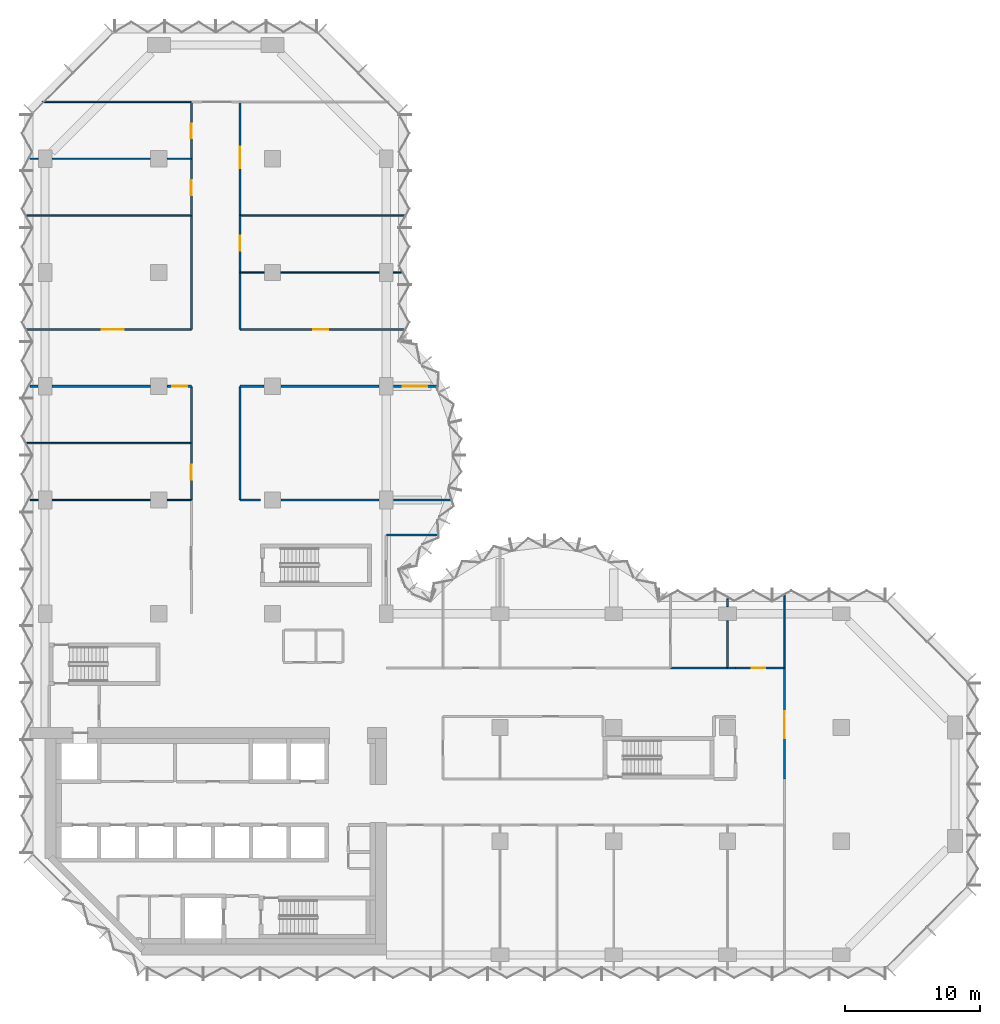
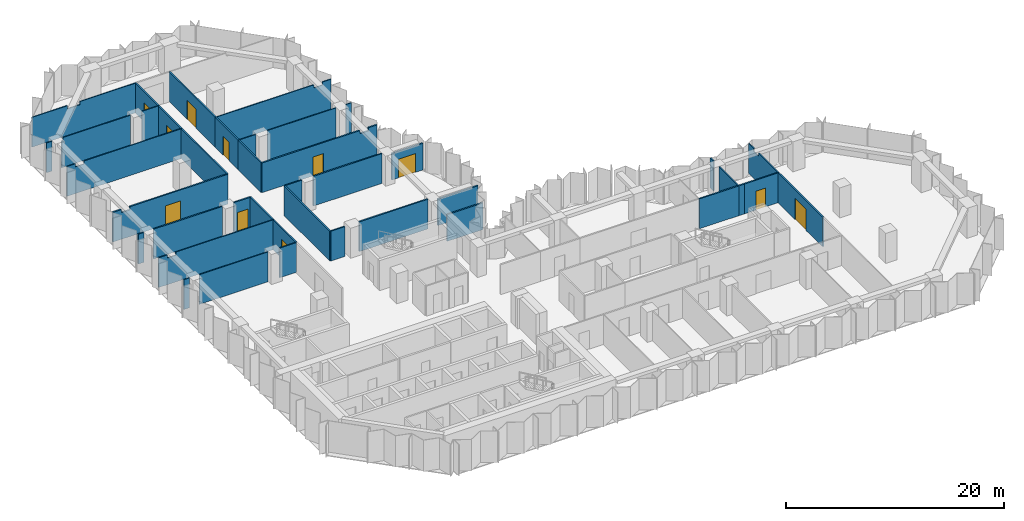
# One storey, part 10 of 13: 41 walls, 11 doors, 11 openings.
"""IFC4 building model written with IfcOpenShell, lengths in metres."""

from ifc_helpers import new_model, si_unit, direction, frame, frame_2d, origin, place, context, subcontext, project, spatial, polyline, rectangle, outline, extrude, material, layer, layer_set, type_object, element, fill, save


model = new_model("IFC4")

# Units and contexts
model_context = context("Model", 3, precision=1e-05, world=origin(), true_north=direction((0.0, 1.0)))
body_context = subcontext(model_context, "Body", "Model", "MODEL_VIEW")
ifc_project = project(units=[si_unit("LENGTHUNIT", "METRE"), si_unit("AREAUNIT", "SQUARE_METRE"), si_unit("VOLUMEUNIT", "CUBIC_METRE"), si_unit("PLANEANGLEUNIT", "RADIAN"), si_unit("MASSUNIT", "GRAM", prefix="KILO")], contexts=[model_context])

# Site, building, storey
site_placement = place(None, origin())
site = spatial("IfcSite", under=ifc_project, at=site_placement, CompositionType="ELEMENT")
building_placement = place(site_placement, origin())
building = spatial("IfcBuilding", under=site, at=building_placement, Name="Brevane Broadcast Tower", CompositionType="ELEMENT")
storey_placement = place(building_placement, frame((0.0, 0.0, 127.699951171875)))
storey = spatial("IfcBuildingStorey", under=building, at=storey_placement, Name="L31", CompositionType="ELEMENT", Elevation=127.699951171875)

# Walls
ifc_material_1 = material(Name="Gypsum board partition")
ifc_layer_1 = layer(ifc_material_1, 0.10009765625)
ifc_layer_set_1 = layer_set([ifc_layer_1], Name="PARTITION 100 STUD")
wall_type_1 = type_object("IfcWallType", Name="PARTITION 100 STUD", PredefinedType="PARTITIONING", material=ifc_layer_set_1)
wall_1_placement = place(storey_placement, frame((54.60009765625, 21.199951171875, 0.0), z_axis=(0.0, 0.0, 1.0), x_axis=(0.0, 1.0, 0.0)))
element("IfcWall", 1, at=wall_1_placement, inside=storey, type_object=wall_type_1, Name="Partition G09-018", PredefinedType="PARTITIONING", context=body_context, shape_type="SweptSolid", body=[
    extrude(outline(polyline([(0.0, 0.0), (5.364990234375, 0.0), (5.364990234375, 3.330078125), (5.10009765625, 3.330078125), (4.449951171875, 3.330078125), (4.447998046875, 2.97998046875), (3.552001953125, 2.97998046875), (3.550048828125, 3.330078125), (0.0, 3.330078125), (0.0, 0.0)])), frame((0.0, 0.050048828125, 0.0), z_axis=(0.0, -1.0, 0.0), x_axis=(1.0, 0.0, 0.0)), (0.0, 0.0, 1.0), 0.10009765625),
])
wall_2_placement = place(storey_placement, frame((10.800048828125, 63.0, 0.0), z_axis=(0.0, 0.0, 1.0), x_axis=(-1.0, 0.0, 0.0)))
element("IfcWall", 2, at=wall_2_placement, inside=storey, type_object=wall_type_1, Name="Partition G09-061", PredefinedType="PARTITIONING", context=body_context, shape_type="SweptSolid", body=[
    extrude(outline(polyline([(0.0, 0.0), (11.0, 0.0), (11.0, 3.330078125), (7.265625, 3.330078125), (7.263671875, 2.97998046875), (5.936279296875, 2.97998046875), (5.934326171875, 3.330078125), (0.0, 3.330078125), (0.0, 0.0)])), frame((0.0, 0.050048828125, 0.0), z_axis=(0.0, -1.0, 0.0), x_axis=(1.0, 0.0, 0.0)), (0.0, 0.0, 1.0), 0.10009765625),
])
wall_3_placement = place(storey_placement, frame((-1.10009765625, 33.60009765625, 0.0), z_axis=(0.0, 0.0, 1.0), x_axis=(1.0, 0.0, 0.0)))
element("IfcWall", 3, at=wall_3_placement, inside=storey, type_object=wall_type_1, Name="Partition G09-067", PredefinedType="PARTITIONING", context=body_context, shape_type="SweptSolid", body=[
    extrude(rectangle(XDim=0.580078125, YDim=0.10009765625, at=frame_2d((0.2900390625, 0.0))), origin(), (0.0, 0.0, 1.0), 3.330078125),
])
wall_4_placement = place(storey_placement, frame((0.52001953125, 33.60009765625, 0.0), z_axis=(0.0, 0.0, 1.0), x_axis=(1.0, 0.0, 0.0)))
element("IfcWall", 4, at=wall_4_placement, inside=storey, type_object=wall_type_1, Name="Partition G09-068", PredefinedType="PARTITIONING", context=body_context, shape_type="SweptSolid", body=[
    extrude(rectangle(XDim=7.260009765625, YDim=0.10009765625, at=frame_2d((3.6298828125, 0.0))), origin(), (0.0, 0.0, 1.0), 3.330078125),
])
wall_5_placement = place(storey_placement, frame((9.02001953125, 33.60009765625, 0.0), z_axis=(0.0, 0.0, 1.0), x_axis=(1.0, 0.0, 0.0)))
element("IfcWall", 5, at=wall_5_placement, inside=storey, type_object=wall_type_1, Name="Partition G09-069", PredefinedType="PARTITIONING", context=body_context, shape_type="SweptSolid", body=[
    extrude(rectangle(XDim=1.780029296875, YDim=0.10009765625, at=frame_2d((0.89013671875, 0.0))), origin(), (0.0, 0.0, 1.0), 3.330078125),
])
for number, where, z_axis, x_axis, name in (
    (6, (-1.364990234375, 37.800048828125, 0.0), (0.0, 0.0, 1.0), (1.0, 0.0, 0.0), "Partition G09-070"),
    (7, (-1.364990234375, 54.60009765625, 0.0), (0.0, 0.0, 1.0), (1.0, 0.0, 0.0), "Partition G09-071"),
):
    element("IfcWall", number, at=place(storey_placement, frame(where, z_axis=z_axis, x_axis=x_axis)), inside=storey, type_object=wall_type_1, Name=name, PredefinedType="PARTITIONING", context=body_context, shape_type="SweptSolid", body=[
        extrude(outline(polyline([(0.0, 0.0), (12.1650390625, 0.0), (12.1650390625, 3.330078125), (1.81494140625, 3.330078125), (1.81298828125, 2.97998046875), (0.9169921875, 2.97998046875), (0.9150390625, 3.330078125), (0.264892578125, 3.330078125), (0.0, 3.330078125), (0.0, 0.0)])), frame((0.0, 0.050048828125, 0.0), z_axis=(0.0, -1.0, 0.0), x_axis=(1.0, 0.0, 0.0)), (0.0, 0.0, 1.0), 0.10009765625),
    ])
wall_6_placement = place(storey_placement, frame((-1.10009765625, 58.800048828125, 0.0), z_axis=(0.0, 0.0, 1.0), x_axis=(1.0, 0.0, 0.0)))
element("IfcWall", 8, at=wall_6_placement, inside=storey, type_object=wall_type_1, Name="Partition G09-072", PredefinedType="PARTITIONING", context=body_context, shape_type="SweptSolid", body=[
    extrude(rectangle(XDim=0.580078125, YDim=0.10009765625, at=frame_2d((0.2900390625, 0.0))), origin(), (0.0, 0.0, 1.0), 3.330078125),
])
wall_7_placement = place(storey_placement, frame((0.52001953125, 58.800048828125, 0.0), z_axis=(0.0, 0.0, 1.0), x_axis=(1.0, 0.0, 0.0)))
element("IfcWall", 9, at=wall_7_placement, inside=storey, type_object=wall_type_1, Name="Partition G09-073", PredefinedType="PARTITIONING", context=body_context, shape_type="SweptSolid", body=[
    extrude(outline(polyline([(0.0, 0.0), (7.260009765625, 0.0), (7.260009765625, 3.330078125), (0.145751953125, 3.330078125), (0.143798828125, 2.97998046875), (0.0, 2.97998046875), (0.0, 0.0)])), frame((0.0, 0.050048828125, 0.0), z_axis=(0.0, -1.0, 0.0), x_axis=(1.0, 0.0, 0.0)), (0.0, 0.0, 1.0), 0.10009765625),
])
for number, where, z_axis, x_axis, name in (
    (10, (9.02001953125, 58.800048828125, 0.0), (0.0, 0.0, 1.0), (1.0, 0.0, 0.0), "Partition G09-074"),
    (11, (14.39990234375, 50.39990234375, 0.0), (0.0, 0.0, 1.0), (1.0, 0.0, 0.0), "Partition G09-079"),
):
    element("IfcWall", number, at=place(storey_placement, frame(where, z_axis=z_axis, x_axis=x_axis)), inside=storey, type_object=wall_type_1, Name=name, PredefinedType="PARTITIONING", context=body_context, shape_type="SweptSolid", body=[
        extrude(rectangle(XDim=1.780029296875, YDim=0.10009765625, at=frame_2d((0.89013671875, 0.0))), origin(), (0.0, 0.0, 1.0), 3.330078125),
    ])
wall_8_placement = place(storey_placement, frame((17.419921875, 50.39990234375, 0.0), z_axis=(0.0, 0.0, 1.0), x_axis=(1.0, 0.0, 0.0)))
element("IfcWall", 12, at=wall_8_placement, inside=storey, type_object=wall_type_1, Name="Partition G09-080", PredefinedType="PARTITIONING", context=body_context, shape_type="SweptSolid", body=[
    extrude(rectangle(XDim=7.260009765625, YDim=0.10009765625, at=frame_2d((3.6298828125, 0.0))), origin(), (0.0, 0.0, 1.0), 3.330078125),
])
wall_9_placement = place(storey_placement, frame((25.719970703125, 50.39990234375, 0.0), z_axis=(0.0, 0.0, 1.0), x_axis=(1.0, 0.0, 0.0)))
element("IfcWall", 13, at=wall_9_placement, inside=storey, type_object=wall_type_1, Name="Partition G09-081", PredefinedType="PARTITIONING", context=body_context, shape_type="SweptSolid", body=[
    extrude(rectangle(XDim=0.580078125, YDim=0.10009765625, at=frame_2d((0.2900390625, 0.0))), origin(), (0.0, 0.0, 1.0), 3.330078125),
])
wall_10_placement = place(storey_placement, frame((14.39990234375, 54.60009765625, 0.0), z_axis=(0.0, 0.0, 1.0), x_axis=(1.0, 0.0, 0.0)))
element("IfcWall", 14, at=wall_10_placement, inside=storey, type_object=wall_type_1, Name="Partition G09-082", PredefinedType="PARTITIONING", context=body_context, shape_type="SweptSolid", body=[
    extrude(outline(polyline([(0.0, 0.0), (12.1650390625, 0.0), (12.1650390625, 3.330078125), (11.89990234375, 3.330078125), (11.25, 3.330078125), (11.248046875, 2.97998046875), (10.35205078125, 2.97998046875), (10.35009765625, 3.330078125), (0.0, 3.330078125), (0.0, 0.0)])), frame((0.0, 0.050048828125, 0.0), z_axis=(0.0, -1.0, 0.0), x_axis=(1.0, 0.0, 0.0)), (0.0, 0.0, 1.0), 0.10009765625),
])
ifc_layer_2 = layer(ifc_material_1, 0.125)
ifc_layer_set_2 = layer_set([ifc_layer_2], Name="PARTITION 125 ACOUSTIC")
wall_type_2 = type_object("IfcWallType", Name="PARTITION 125 ACOUSTIC", PredefinedType="PARTITIONING", material=ifc_layer_set_2)
wall_11_placement = place(storey_placement, frame((50.39990234375, 26.300048828125, 0.0), z_axis=(0.0, 0.0, 1.0), x_axis=(0.0, -1.0, 0.0)))
element("IfcWall", 15, at=wall_11_placement, inside=storey, type_object=wall_type_2, Name="Partition G09-045", PredefinedType="PARTITIONING", context=body_context, shape_type="SweptSolid", body=[
    extrude(rectangle(XDim=0.580078125, YDim=0.125, at=frame_2d((0.2900390625, 0.0))), origin(), (0.0, 0.0, 1.0), 3.330078125),
])
wall_12_placement = place(storey_placement, frame((50.39990234375, 24.679931640625, 0.0), z_axis=(0.0, 0.0, 1.0), x_axis=(0.0, -1.0, 0.0)))
element("IfcWall", 16, at=wall_12_placement, inside=storey, type_object=wall_type_2, Name="Partition G09-046", PredefinedType="PARTITIONING", context=body_context, shape_type="SweptSolid", body=[
    extrude(rectangle(XDim=3.47998046875, YDim=0.125, at=frame_2d((1.739990234375, 0.0))), origin(), (0.0, 0.0, 1.0), 3.330078125),
])
ifc_layer_3 = layer(ifc_material_1, 0.14990234375)
ifc_layer_set_3 = layer_set([ifc_layer_3], Name="PARTITION 150 EI 60")
wall_type_3 = type_object("IfcWallType", Name="PARTITION 150 EI 60", PredefinedType="PARTITIONING", material=ifc_layer_set_3)
wall_13_placement = place(storey_placement, frame((25.199951171875, 31.0, 0.0), z_axis=(0.0, 0.0, 1.0), x_axis=(1.0, 0.0, 0.0)))
element("IfcWall", 17, at=wall_13_placement, inside=storey, type_object=wall_type_3, Name="Partition G09-006", PredefinedType="PARTITIONING", context=body_context, shape_type="SweptSolid", body=[
    extrude(rectangle(XDim=3.80615234375, YDim=0.14990234375, at=frame_2d((1.903076171875, 0.0))), origin(), (0.0, 0.0, 1.0), 2.97998046875),
])

# Wall, opening, door
wall_14_placement = place(storey_placement, frame((54.60009765625, 21.199951171875, 0.0), z_axis=(0.0, 0.0, 1.0), x_axis=(0.0, -1.0, 0.0)))
wall_14 = element("IfcWall", 18, at=wall_14_placement, inside=storey, type_object=wall_type_3, Name="Partition G09-016", PredefinedType="PARTITIONING", context=body_context, shape_type="SweptSolid", body=[
    extrude(rectangle(XDim=8.199951171875, YDim=0.14990234375, at=frame_2d((4.10009765625, 0.0))), origin(), (0.0, 0.0, 1.0), 3.330078125),
])
opening_1_placement = place(wall_14_placement, frame((3.199951171875, 0.0, 0.0)))
opening_1 = element("IfcOpeningElement", 19, at=opening_1_placement, cuts=wall_14, Name="Opening D16-002", PredefinedType="OPENING", context=body_context, shape_type="SweptSolid", body=[
    extrude(rectangle(XDim=2.0, YDim=2.39990234375, at=frame_2d((1.0, 1.199951171875))), frame((0.0, 0.0849609375, 0.0), z_axis=(0.0, -1.0, 0.0), x_axis=(1.0, 0.0, 0.0)), (0.0, 0.0, 1.0), 0.169921875),
])
ifc_material_2 = material(Name="Fire-rated timber door leaf", Category="wood")
door_type_1 = type_object("IfcDoorType", Name="DOOR DOUBLE 2000 FD30S", OperationType="DOUBLE_DOOR_SINGLE_SWING", PredefinedType="DOOR", material=ifc_material_2)
door_1_placement = place(opening_1_placement, origin())
door_1 = element("IfcDoor", 20, at=door_1_placement, inside=storey, type_object=door_type_1, Name="Door D16-002", OperationType="DOUBLE_DOOR_SINGLE_SWING", OverallHeight=2.39990234375, OverallWidth=2.0, PredefinedType="DOOR", context=body_context, shape_type="SweptSolid", body=[
    extrude(rectangle(XDim=2.0, YDim=2.39990234375, at=frame_2d((1.0, 1.199951171875))), frame((0.0, 0.02490234375, 0.0), z_axis=(0.0, -1.0, 0.0), x_axis=(1.0, 0.0, 0.0)), (0.0, 0.0, 1.0), 0.050048828125),
])
fill(opening_1, door_1)

# Walls
wall_15_placement = place(storey_placement, frame((46.199951171875, 21.199951171875, 0.0), z_axis=(0.0, 0.0, 1.0), x_axis=(1.0, 0.0, 0.0)))
element("IfcWall", 21, at=wall_15_placement, inside=storey, type_object=wall_type_3, Name="Partition G09-026", PredefinedType="PARTITIONING", context=body_context, shape_type="SweptSolid", body=[
    extrude(rectangle(XDim=4.199951171875, YDim=0.14990234375, at=frame_2d((2.10009765625, 0.0))), origin(), (0.0, 0.0, 1.0), 3.330078125),
])
wall_16_placement = place(storey_placement, frame((50.39990234375, 21.199951171875, 0.0), z_axis=(0.0, 0.0, 1.0), x_axis=(1.0, 0.0, 0.0)))
element("IfcWall", 22, at=wall_16_placement, inside=storey, type_object=wall_type_3, Name="Partition G09-027", PredefinedType="PARTITIONING", context=body_context, shape_type="SweptSolid", body=[
    extrude(rectangle(XDim=0.60009765625, YDim=0.14990234375, at=frame_2d((0.300048828125, 0.0))), origin(), (0.0, 0.0, 1.0), 3.330078125),
])

# Wall, opening, door
wall_17_placement = place(storey_placement, frame((51.0, 21.199951171875, 0.0), z_axis=(0.0, 0.0, 1.0), x_axis=(1.0, 0.0, 0.0)))
wall_17 = element("IfcWall", 23, at=wall_17_placement, inside=storey, type_object=wall_type_3, Name="Partition G09-029", PredefinedType="PARTITIONING", context=body_context, shape_type="SweptSolid", body=[
    extrude(rectangle(XDim=3.60009765625, YDim=0.14990234375, at=frame_2d((1.800048828125, 0.0))), origin(), (0.0, 0.0, 1.0), 3.330078125),
])
opening_2_placement = place(wall_17_placement, frame((1.199951171875, 0.0, 0.0)))
opening_2 = element("IfcOpeningElement", 24, at=opening_2_placement, cuts=wall_17, Name="Opening D16-015", PredefinedType="OPENING", context=body_context, shape_type="SweptSolid", body=[
    extrude(rectangle(XDim=1.0, YDim=2.10009765625, at=frame_2d((0.5, 1.050048828125))), frame((0.0, 0.0849609375, 0.0), z_axis=(0.0, -1.0, 0.0), x_axis=(1.0, 0.0, 0.0)), (0.0, 0.0, 1.0), 0.169921875),
])
door_type_2 = type_object("IfcDoorType", Name="DOOR SINGLE 1000 FD30S", OperationType="SINGLE_SWING_LEFT", PredefinedType="DOOR", material=ifc_material_2)
door_2_placement = place(opening_2_placement, origin())
door_2 = element("IfcDoor", 25, at=door_2_placement, inside=storey, type_object=door_type_2, Name="Door D16-015", OperationType="SINGLE_SWING_LEFT", OverallHeight=2.10009765625, OverallWidth=1.0, PredefinedType="DOOR", context=body_context, shape_type="SweptSolid", body=[
    extrude(rectangle(XDim=1.0, YDim=2.10009765625, at=frame_2d((0.5, 1.050048828125))), frame((0.0, 0.02490234375, 0.0), z_axis=(0.0, -1.0, 0.0), x_axis=(1.0, 0.0, 0.0)), (0.0, 0.0, 1.0), 0.050048828125),
])
fill(opening_2, door_2)

# Walls
wall_18_placement = place(storey_placement, frame((14.39990234375, 33.60009765625, 0.0), z_axis=(0.0, 0.0, 1.0), x_axis=(1.0, 0.0, 0.0)))
element("IfcWall", 26, at=wall_18_placement, inside=storey, type_object=wall_type_3, Name="Partition G09-048", PredefinedType="PARTITIONING", context=body_context, shape_type="SweptSolid", body=[
    extrude(rectangle(XDim=1.5, YDim=0.14990234375, at=frame_2d((0.75, 0.0))), origin(), (0.0, 0.0, 1.0), 3.330078125),
])
wall_19_placement = place(storey_placement, frame((17.419921875, 33.60009765625, 0.0), z_axis=(0.0, 0.0, 1.0), x_axis=(1.0, 0.0, 0.0)))
element("IfcWall", 27, at=wall_19_placement, inside=storey, type_object=wall_type_3, Name="Partition G09-049", PredefinedType="PARTITIONING", context=body_context, shape_type="SweptSolid", body=[
    extrude(rectangle(XDim=7.260009765625, YDim=0.14990234375, at=frame_2d((3.6298828125, 0.0))), origin(), (0.0, 0.0, 1.0), 3.330078125),
])
wall_20_placement = place(storey_placement, frame((25.719970703125, 33.60009765625, 0.0), z_axis=(0.0, 0.0, 1.0), x_axis=(1.0, 0.0, 0.0)))
element("IfcWall", 28, at=wall_20_placement, inside=storey, type_object=wall_type_3, Name="Partition G09-050", PredefinedType="PARTITIONING", context=body_context, shape_type="SweptSolid", body=[
    extrude(rectangle(XDim=4.268310546875, YDim=0.14990234375, at=frame_2d((2.13427734375, 0.0))), origin(), (0.0, 0.0, 1.0), 2.97998046875),
])

# Wall, opening, door
wall_21_placement = place(storey_placement, frame((10.800048828125, 33.60009765625, 0.0), z_axis=(0.0, 0.0, 1.0), x_axis=(0.0, 1.0, 0.0)))
wall_21 = element("IfcWall", 29, at=wall_21_placement, inside=storey, type_object=wall_type_3, Name="Partition G09-052", PredefinedType="PARTITIONING", context=body_context, shape_type="SweptSolid", body=[
    extrude(rectangle(XDim=4.199951171875, YDim=0.14990234375, at=frame_2d((2.10009765625, 0.0))), origin(), (0.0, 0.0, 1.0), 3.330078125),
])
opening_3_placement = place(wall_21_placement, frame((1.5, 0.0, 0.0)))
opening_3 = element("IfcOpeningElement", 30, at=opening_3_placement, cuts=wall_21, Name="Opening D16-018", PredefinedType="OPENING", context=body_context, shape_type="SweptSolid", body=[
    extrude(rectangle(XDim=1.10009765625, YDim=2.10009765625, at=frame_2d((0.550048828125, 1.050048828125))), frame((0.0, 0.0849609375, 0.0), z_axis=(0.0, -1.0, 0.0), x_axis=(1.0, 0.0, 0.0)), (0.0, 0.0, 1.0), 0.169921875),
])
door_type_3 = type_object("IfcDoorType", Name="DOOR SINGLE 1100 FD30S", OperationType="SINGLE_SWING_LEFT", PredefinedType="DOOR", material=ifc_material_2)
door_3_placement = place(opening_3_placement, origin())
door_3 = element("IfcDoor", 31, at=door_3_placement, inside=storey, type_object=door_type_3, Name="Door D16-018", OperationType="SINGLE_SWING_LEFT", OverallHeight=2.10009765625, OverallWidth=1.10009765625, PredefinedType="DOOR", context=body_context, shape_type="SweptSolid", body=[
    extrude(rectangle(XDim=1.10009765625, YDim=2.10009765625, at=frame_2d((0.550048828125, 1.050048828125))), frame((0.0, 0.02490234375, 0.0), z_axis=(0.0, -1.0, 0.0), x_axis=(1.0, 0.0, 0.0)), (0.0, 0.0, 1.0), 0.050048828125),
])
fill(opening_3, door_3)

# Walls
wall_22_placement = place(storey_placement, frame((10.800048828125, 37.800048828125, 0.0), z_axis=(0.0, 0.0, 1.0), x_axis=(0.0, 1.0, 0.0)))
element("IfcWall", 32, at=wall_22_placement, inside=storey, type_object=wall_type_3, Name="Partition G09-053", PredefinedType="PARTITIONING", context=body_context, shape_type="SweptSolid", body=[
    extrude(rectangle(XDim=4.199951171875, YDim=0.14990234375, at=frame_2d((2.10009765625, 0.0))), origin(), (0.0, 0.0, 1.0), 3.330078125),
])
wall_23_placement = place(storey_placement, frame((10.800048828125, 46.199951171875, 0.0), z_axis=(0.0, 0.0, 1.0), x_axis=(0.0, 1.0, 0.0)))
element("IfcWall", 33, at=wall_23_placement, inside=storey, type_object=wall_type_3, Name="Partition G09-054", PredefinedType="PARTITIONING", context=body_context, shape_type="SweptSolid", body=[
    extrude(rectangle(XDim=8.400146484375, YDim=0.14990234375, at=frame_2d((4.2001953125, 0.0))), origin(), (0.0, 0.0, 1.0), 3.330078125),
])

# Wall, opening, door
wall_24_placement = place(storey_placement, frame((10.800048828125, 54.60009765625, 0.0), z_axis=(0.0, 0.0, 1.0), x_axis=(0.0, 1.0, 0.0)))
wall_24 = element("IfcWall", 34, at=wall_24_placement, inside=storey, type_object=wall_type_3, Name="Partition G09-055", PredefinedType="PARTITIONING", context=body_context, shape_type="SweptSolid", body=[
    extrude(rectangle(XDim=4.199951171875, YDim=0.14990234375, at=frame_2d((2.10009765625, 0.0))), origin(), (0.0, 0.0, 1.0), 3.330078125),
])
opening_4_placement = place(wall_24_placement, frame((1.5, 0.0, 0.0)))
opening_4 = element("IfcOpeningElement", 35, at=opening_4_placement, cuts=wall_24, Name="Opening D16-021", PredefinedType="OPENING", context=body_context, shape_type="SweptSolid", body=[
    extrude(rectangle(XDim=1.10009765625, YDim=2.10009765625, at=frame_2d((0.550048828125, 1.050048828125))), frame((0.0, 0.0849609375, 0.0), z_axis=(0.0, -1.0, 0.0), x_axis=(1.0, 0.0, 0.0)), (0.0, 0.0, 1.0), 0.169921875),
])
door_4_placement = place(opening_4_placement, origin())
door_4 = element("IfcDoor", 36, at=door_4_placement, inside=storey, type_object=door_type_3, Name="Door D16-021", OperationType="SINGLE_SWING_LEFT", OverallHeight=2.10009765625, OverallWidth=1.10009765625, PredefinedType="DOOR", context=body_context, shape_type="SweptSolid", body=[
    extrude(rectangle(XDim=1.10009765625, YDim=2.10009765625, at=frame_2d((0.550048828125, 1.050048828125))), frame((0.0, 0.02490234375, 0.0), z_axis=(0.0, -1.0, 0.0), x_axis=(1.0, 0.0, 0.0)), (0.0, 0.0, 1.0), 0.050048828125),
])
fill(opening_4, door_4)

wall_25_placement = place(storey_placement, frame((10.800048828125, 58.800048828125, 0.0), z_axis=(0.0, 0.0, 1.0), x_axis=(0.0, 1.0, 0.0)))
wall_25 = element("IfcWall", 37, at=wall_25_placement, inside=storey, type_object=wall_type_3, Name="Partition G09-056", PredefinedType="PARTITIONING", context=body_context, shape_type="SweptSolid", body=[
    extrude(rectangle(XDim=4.199951171875, YDim=0.14990234375, at=frame_2d((2.10009765625, 0.0))), origin(), (0.0, 0.0, 1.0), 3.330078125),
])
opening_5_placement = place(wall_25_placement, frame((1.5, 0.0, 0.0)))
opening_5 = element("IfcOpeningElement", 38, at=opening_5_placement, cuts=wall_25, Name="Opening D16-022", PredefinedType="OPENING", context=body_context, shape_type="SweptSolid", body=[
    extrude(rectangle(XDim=1.10009765625, YDim=2.10009765625, at=frame_2d((0.550048828125, 1.050048828125))), frame((0.0, 0.0849609375, 0.0), z_axis=(0.0, -1.0, 0.0), x_axis=(1.0, 0.0, 0.0)), (0.0, 0.0, 1.0), 0.169921875),
])
door_5_placement = place(opening_5_placement, origin())
door_5 = element("IfcDoor", 39, at=door_5_placement, inside=storey, type_object=door_type_3, Name="Door D16-022", OperationType="SINGLE_SWING_LEFT", OverallHeight=2.10009765625, OverallWidth=1.10009765625, PredefinedType="DOOR", context=body_context, shape_type="SweptSolid", body=[
    extrude(rectangle(XDim=1.10009765625, YDim=2.10009765625, at=frame_2d((0.550048828125, 1.050048828125))), frame((0.0, 0.02490234375, 0.0), z_axis=(0.0, -1.0, 0.0), x_axis=(1.0, 0.0, 0.0)), (0.0, 0.0, 1.0), 0.050048828125),
])
fill(opening_5, door_5)

# Walls
wall_26_placement = place(storey_placement, frame((14.39990234375, 42.0, 0.0), z_axis=(0.0, 0.0, 1.0), x_axis=(0.0, -1.0, 0.0)))
element("IfcWall", 40, at=wall_26_placement, inside=storey, type_object=wall_type_3, Name="Partition G09-057", PredefinedType="PARTITIONING", context=body_context, shape_type="SweptSolid", body=[
    extrude(rectangle(XDim=8.39990234375, YDim=0.14990234375, at=frame_2d((4.199951171875, 0.0))), origin(), (0.0, 0.0, 1.0), 3.330078125),
])
wall_27_placement = place(storey_placement, frame((14.39990234375, 50.39990234375, 0.0), z_axis=(0.0, 0.0, 1.0), x_axis=(0.0, -1.0, 0.0)))
element("IfcWall", 41, at=wall_27_placement, inside=storey, type_object=wall_type_3, Name="Partition G09-058", PredefinedType="PARTITIONING", context=body_context, shape_type="SweptSolid", body=[
    extrude(rectangle(XDim=4.199951171875, YDim=0.14990234375, at=frame_2d((2.10009765625, 0.0))), origin(), (0.0, 0.0, 1.0), 3.330078125),
])

# Wall, opening, door
wall_28_placement = place(storey_placement, frame((14.39990234375, 54.60009765625, 0.0), z_axis=(0.0, 0.0, 1.0), x_axis=(0.0, -1.0, 0.0)))
wall_28 = element("IfcWall", 42, at=wall_28_placement, inside=storey, type_object=wall_type_3, Name="Partition G09-059", PredefinedType="PARTITIONING", context=body_context, shape_type="SweptSolid", body=[
    extrude(rectangle(XDim=4.2001953125, YDim=0.14990234375, at=frame_2d((2.10009765625, 0.0))), origin(), (0.0, 0.0, 1.0), 3.330078125),
])
opening_6_placement = place(wall_28_placement, frame((1.5, 0.0, 0.0)))
opening_6 = element("IfcOpeningElement", 43, at=opening_6_placement, cuts=wall_28, Name="Opening D16-025", PredefinedType="OPENING", context=body_context, shape_type="SweptSolid", body=[
    extrude(rectangle(XDim=1.10009765625, YDim=2.10009765625, at=frame_2d((0.550048828125, 1.050048828125))), frame((0.0, 0.0849609375, 0.0), z_axis=(0.0, -1.0, 0.0), x_axis=(1.0, 0.0, 0.0)), (0.0, 0.0, 1.0), 0.169921875),
])
door_6_placement = place(opening_6_placement, origin())
door_6 = element("IfcDoor", 44, at=door_6_placement, inside=storey, type_object=door_type_3, Name="Door D16-025", OperationType="SINGLE_SWING_LEFT", OverallHeight=2.10009765625, OverallWidth=1.10009765625, PredefinedType="DOOR", context=body_context, shape_type="SweptSolid", body=[
    extrude(rectangle(XDim=1.10009765625, YDim=2.10009765625, at=frame_2d((0.550048828125, 1.050048828125))), frame((0.0, 0.02490234375, 0.0), z_axis=(0.0, -1.0, 0.0), x_axis=(1.0, 0.0, 0.0)), (0.0, 0.0, 1.0), 0.050048828125),
])
fill(opening_6, door_6)

wall_29_placement = place(storey_placement, frame((14.39990234375, 63.0, 0.0), z_axis=(0.0, 0.0, 1.0), x_axis=(0.0, -1.0, 0.0)))
wall_29 = element("IfcWall", 45, at=wall_29_placement, inside=storey, type_object=wall_type_3, Name="Partition G09-060", PredefinedType="PARTITIONING", context=body_context, shape_type="SweptSolid", body=[
    extrude(rectangle(XDim=8.39990234375, YDim=0.14990234375, at=frame_2d((4.199951171875, 0.0))), origin(), (0.0, 0.0, 1.0), 3.330078125),
])
opening_7_placement = place(wall_29_placement, frame((3.300048828125, 0.0, 0.0)))
opening_7 = element("IfcOpeningElement", 46, at=opening_7_placement, cuts=wall_29, Name="Opening D16-026", PredefinedType="OPENING", context=body_context, shape_type="SweptSolid", body=[
    extrude(rectangle(XDim=1.60009765625, YDim=2.10009765625, at=frame_2d((0.800048828125, 1.050048828125))), frame((0.0, 0.0849609375, 0.0), z_axis=(0.0, -1.0, 0.0), x_axis=(1.0, 0.0, 0.0)), (0.0, 0.0, 1.0), 0.169921875),
])
door_type_4 = type_object("IfcDoorType", Name="DOOR DOUBLE 1600 FD30S", OperationType="DOUBLE_DOOR_SINGLE_SWING", PredefinedType="DOOR", material=ifc_material_2)
door_7_placement = place(opening_7_placement, origin())
door_7 = element("IfcDoor", 47, at=door_7_placement, inside=storey, type_object=door_type_4, Name="Door D16-026", OperationType="DOUBLE_DOOR_SINGLE_SWING", OverallHeight=2.10009765625, OverallWidth=1.60009765625, PredefinedType="DOOR", context=body_context, shape_type="SweptSolid", body=[
    extrude(rectangle(XDim=1.60009765625, YDim=2.10009765625, at=frame_2d((0.800048828125, 1.050048828125))), frame((0.0, 0.02490234375, 0.0), z_axis=(0.0, -1.0, 0.0), x_axis=(1.0, 0.0, 0.0)), (0.0, 0.0, 1.0), 0.050048828125),
])
fill(opening_7, door_7)

wall_30_placement = place(storey_placement, frame((10.800048828125, 42.0, 0.0), z_axis=(0.0, 0.0, 1.0), x_axis=(-1.0, 0.0, 0.0)))
wall_30 = element("IfcWall", 48, at=wall_30_placement, inside=storey, type_object=wall_type_3, Name="Partition G09-063", PredefinedType="PARTITIONING", context=body_context, shape_type="SweptSolid", body=[
    extrude(rectangle(XDim=1.780029296875, YDim=0.14990234375, at=frame_2d((0.89013671875, 0.0))), origin(), (0.0, 0.0, 1.0), 3.330078125),
])
opening_8_placement = place(wall_30_placement, frame((0.300048828125, 0.0, 0.0)))
opening_8 = element("IfcOpeningElement", 49, at=opening_8_placement, cuts=wall_30, Name="Opening D16-019", PredefinedType="OPENING", context=body_context, shape_type="SweptSolid", body=[
    extrude(rectangle(XDim=1.10009765625, YDim=2.10009765625, at=frame_2d((0.550048828125, 1.050048828125))), frame((0.0, 0.0849609375, 0.0), z_axis=(0.0, -1.0, 0.0), x_axis=(1.0, 0.0, 0.0)), (0.0, 0.0, 1.0), 0.169921875),
])
door_8_placement = place(opening_8_placement, origin())
door_8 = element("IfcDoor", 50, at=door_8_placement, inside=storey, type_object=door_type_3, Name="Door D16-019", OperationType="SINGLE_SWING_LEFT", OverallHeight=2.10009765625, OverallWidth=1.10009765625, PredefinedType="DOOR", context=body_context, shape_type="SweptSolid", body=[
    extrude(rectangle(XDim=1.10009765625, YDim=2.10009765625, at=frame_2d((0.550048828125, 1.050048828125))), frame((0.0, 0.02490234375, 0.0), z_axis=(0.0, -1.0, 0.0), x_axis=(1.0, 0.0, 0.0)), (0.0, 0.0, 1.0), 0.050048828125),
])
fill(opening_8, door_8)

# Walls
wall_31_placement = place(storey_placement, frame((7.780029296875, 42.0, 0.0), z_axis=(0.0, 0.0, 1.0), x_axis=(-1.0, 0.0, 0.0)))
element("IfcWall", 51, at=wall_31_placement, inside=storey, type_object=wall_type_3, Name="Partition G09-064", PredefinedType="PARTITIONING", context=body_context, shape_type="SweptSolid", body=[
    extrude(rectangle(XDim=7.260009765625, YDim=0.14990234375, at=frame_2d((3.6298828125, 0.0))), origin(), (0.0, 0.0, 1.0), 3.330078125),
])
wall_32_placement = place(storey_placement, frame((-0.52001953125, 42.0, 0.0), z_axis=(0.0, 0.0, 1.0), x_axis=(-1.0, 0.0, 0.0)))
element("IfcWall", 52, at=wall_32_placement, inside=storey, type_object=wall_type_3, Name="Partition G09-065", PredefinedType="PARTITIONING", context=body_context, shape_type="SweptSolid", body=[
    extrude(rectangle(XDim=0.580078125, YDim=0.14990234375, at=frame_2d((0.2900390625, 0.0))), origin(), (0.0, 0.0, 1.0), 3.330078125),
])

# Wall, opening, door
wall_33_placement = place(storey_placement, frame((-1.364990234375, 46.199951171875, 0.0), z_axis=(0.0, 0.0, 1.0), x_axis=(1.0, 0.0, 0.0)))
wall_33 = element("IfcWall", 53, at=wall_33_placement, inside=storey, type_object=wall_type_3, Name="Partition G09-066", PredefinedType="PARTITIONING", context=body_context, shape_type="SweptSolid", body=[
    extrude(outline(polyline([(0.0, 0.0), (12.1650390625, 0.0), (12.1650390625, 3.330078125), (1.81494140625, 3.330078125), (1.81298828125, 2.97998046875), (0.9169921875, 2.97998046875), (0.9150390625, 3.330078125), (0.264892578125, 3.330078125), (0.0, 3.330078125), (0.0, 0.0)])), frame((0.0, 0.074951171875, 0.0), z_axis=(0.0, -1.0, 0.0), x_axis=(1.0, 0.0, 0.0)), (0.0, 0.0, 1.0), 0.14990234375),
])
opening_9_placement = place(wall_33_placement, frame((5.56494140625, 0.0, 0.0)))
opening_9 = element("IfcOpeningElement", 54, at=opening_9_placement, cuts=wall_33, Name="Opening D16-020", PredefinedType="OPENING", context=body_context, shape_type="SweptSolid", body=[
    extrude(rectangle(XDim=1.60009765625, YDim=2.10009765625, at=frame_2d((0.800048828125, 1.050048828125))), frame((0.0, 0.0849609375, 0.0), z_axis=(0.0, -1.0, 0.0), x_axis=(1.0, 0.0, 0.0)), (0.0, 0.0, 1.0), 0.169921875),
])
door_9_placement = place(opening_9_placement, origin())
door_9 = element("IfcDoor", 55, at=door_9_placement, inside=storey, type_object=door_type_4, Name="Door D16-020", OperationType="DOUBLE_DOOR_SINGLE_SWING", OverallHeight=2.10009765625, OverallWidth=1.60009765625, PredefinedType="DOOR", context=body_context, shape_type="SweptSolid", body=[
    extrude(rectangle(XDim=1.60009765625, YDim=2.10009765625, at=frame_2d((0.800048828125, 1.050048828125))), frame((0.0, 0.02490234375, 0.0), z_axis=(0.0, -1.0, 0.0), x_axis=(1.0, 0.0, 0.0)), (0.0, 0.0, 1.0), 0.050048828125),
])
fill(opening_9, door_9)

wall_34_placement = place(storey_placement, frame((29.011474609375, 42.0, 0.0), z_axis=(0.0, 0.0, 1.0), x_axis=(-1.0, 0.0, 0.0)))
wall_34 = element("IfcWall", 56, at=wall_34_placement, inside=storey, type_object=wall_type_3, Name="Partition G09-075", PredefinedType="PARTITIONING", context=body_context, shape_type="SweptSolid", body=[
    extrude(rectangle(XDim=3.29150390625, YDim=0.14990234375, at=frame_2d((1.645751953125, 0.0))), origin(), (0.0, 0.0, 1.0), 2.97998046875),
])
opening_10_placement = place(wall_34_placement, frame((0.800048828125, 0.0, 0.0)))
opening_10 = element("IfcOpeningElement", 57, at=opening_10_placement, cuts=wall_34, Name="Opening D16-023", PredefinedType="OPENING", context=body_context, shape_type="SweptSolid", body=[
    extrude(rectangle(XDim=1.800048828125, YDim=2.10009765625, at=frame_2d((0.89990234375, 1.050048828125))), frame((0.0, 0.0849609375, 0.0), z_axis=(0.0, -1.0, 0.0), x_axis=(1.0, 0.0, 0.0)), (0.0, 0.0, 1.0), 0.169921875),
])
door_type_5 = type_object("IfcDoorType", Name="DOOR DOUBLE 1800 FD30S", OperationType="DOUBLE_DOOR_SINGLE_SWING", PredefinedType="DOOR", material=ifc_material_2)
door_10_placement = place(opening_10_placement, origin())
door_10 = element("IfcDoor", 58, at=door_10_placement, inside=storey, type_object=door_type_5, Name="Door D16-023", OperationType="DOUBLE_DOOR_SINGLE_SWING", OverallHeight=2.10009765625, OverallWidth=1.800048828125, PredefinedType="DOOR", context=body_context, shape_type="SweptSolid", body=[
    extrude(rectangle(XDim=1.800048828125, YDim=2.10009765625, at=frame_2d((0.89990234375, 1.050048828125))), frame((0.0, 0.02490234375, 0.0), z_axis=(0.0, -1.0, 0.0), x_axis=(1.0, 0.0, 0.0)), (0.0, 0.0, 1.0), 0.050048828125),
])
fill(opening_10, door_10)

# Walls
wall_35_placement = place(storey_placement, frame((24.679931640625, 42.0, 0.0), z_axis=(0.0, 0.0, 1.0), x_axis=(-1.0, 0.0, 0.0)))
element("IfcWall", 59, at=wall_35_placement, inside=storey, type_object=wall_type_3, Name="Partition G09-076", PredefinedType="PARTITIONING", context=body_context, shape_type="SweptSolid", body=[
    extrude(rectangle(XDim=7.260009765625, YDim=0.14990234375, at=frame_2d((3.6298828125, 0.0))), origin(), (0.0, 0.0, 1.0), 3.330078125),
])
wall_36_placement = place(storey_placement, frame((16.179931640625, 42.0, 0.0), z_axis=(0.0, 0.0, 1.0), x_axis=(-1.0, 0.0, 0.0)))
element("IfcWall", 60, at=wall_36_placement, inside=storey, type_object=wall_type_3, Name="Partition G09-077", PredefinedType="PARTITIONING", context=body_context, shape_type="SweptSolid", body=[
    extrude(rectangle(XDim=1.780029296875, YDim=0.14990234375, at=frame_2d((0.89013671875, 0.0))), origin(), (0.0, 0.0, 1.0), 3.330078125),
])

# Wall, opening, door
wall_37_placement = place(storey_placement, frame((14.39990234375, 46.199951171875, 0.0), z_axis=(0.0, 0.0, 1.0), x_axis=(1.0, 0.0, 0.0)))
wall_37 = element("IfcWall", 61, at=wall_37_placement, inside=storey, type_object=wall_type_3, Name="Partition G09-078", PredefinedType="PARTITIONING", context=body_context, shape_type="SweptSolid", body=[
    extrude(outline(polyline([(0.0, 0.0), (12.1650390625, 0.0), (12.1650390625, 3.330078125), (11.89990234375, 3.330078125), (11.25, 3.330078125), (11.248046875, 2.97998046875), (10.35205078125, 2.97998046875), (10.35009765625, 3.330078125), (0.0, 3.330078125), (0.0, 0.0)])), frame((0.0, 0.074951171875, 0.0), z_axis=(0.0, -1.0, 0.0), x_axis=(1.0, 0.0, 0.0)), (0.0, 0.0, 1.0), 0.14990234375),
])
opening_11_placement = place(wall_37_placement, frame((5.39990234375, 0.0, 0.0)))
opening_11 = element("IfcOpeningElement", 62, at=opening_11_placement, cuts=wall_37, Name="Opening D16-024", PredefinedType="OPENING", context=body_context, shape_type="SweptSolid", body=[
    extrude(rectangle(XDim=1.10009765625, YDim=2.10009765625, at=frame_2d((0.550048828125, 1.050048828125))), frame((0.0, 0.0849609375, 0.0), z_axis=(0.0, -1.0, 0.0), x_axis=(1.0, 0.0, 0.0)), (0.0, 0.0, 1.0), 0.169921875),
])
door_11_placement = place(opening_11_placement, origin())
door_11 = element("IfcDoor", 63, at=door_11_placement, inside=storey, type_object=door_type_3, Name="Door D16-024", OperationType="SINGLE_SWING_LEFT", OverallHeight=2.10009765625, OverallWidth=1.10009765625, PredefinedType="DOOR", context=body_context, shape_type="SweptSolid", body=[
    extrude(rectangle(XDim=1.10009765625, YDim=2.10009765625, at=frame_2d((0.550048828125, 1.050048828125))), frame((0.0, 0.02490234375, 0.0), z_axis=(0.0, -1.0, 0.0), x_axis=(1.0, 0.0, 0.0)), (0.0, 0.0, 1.0), 0.050048828125),
])
fill(opening_11, door_11)

save(model, "model.ifc")
